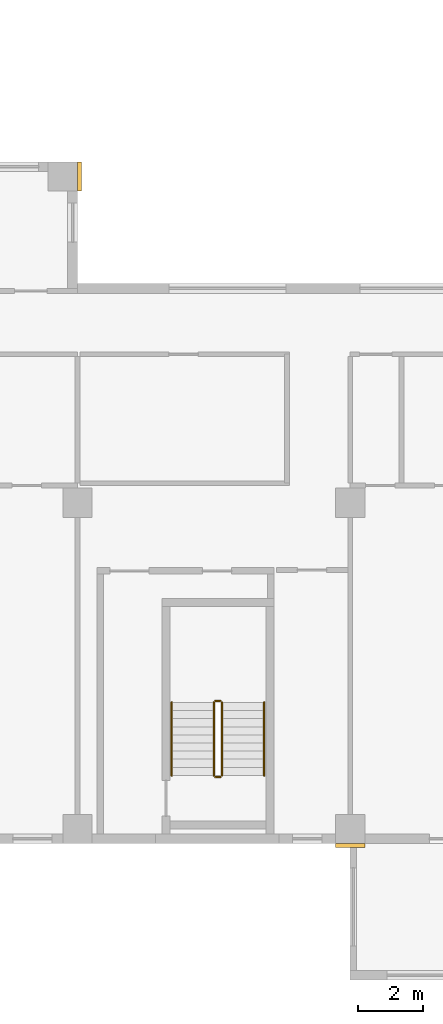
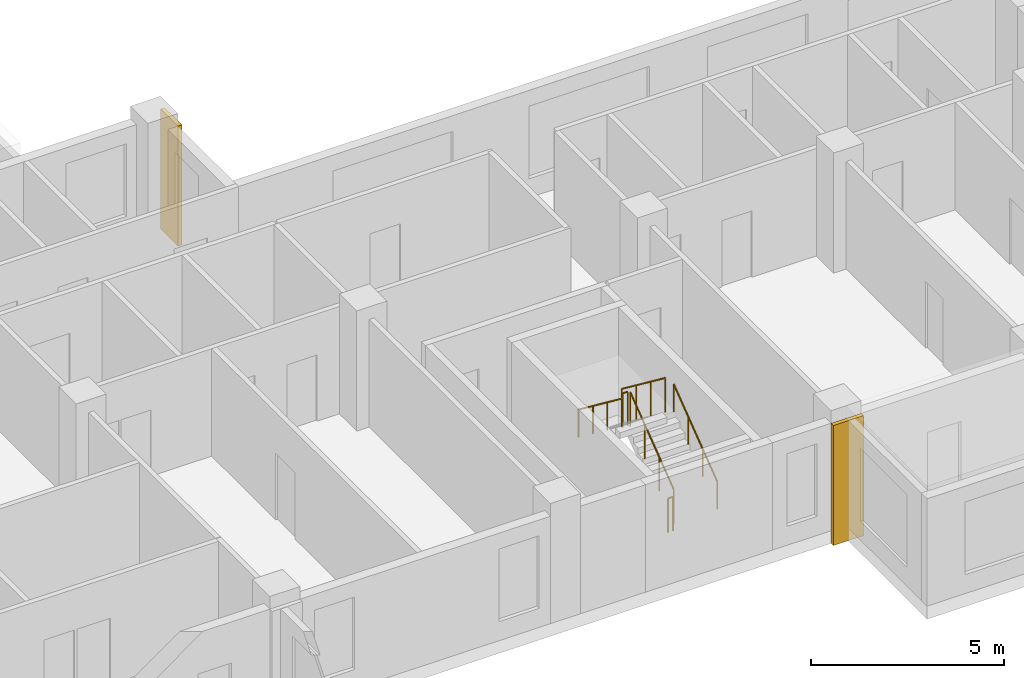
# One storey, part 11 of 12: 6 railings, 2 coverings.
"""IFC4 building model written with IfcOpenShell, lengths in metres."""

from ifc_helpers import new_model, si_unit, direction, frame, origin, origin_2d, place, context, subcontext, project, spatial, rectangle, circle, extrude, source, transform, mapped, material, type_object, element, save


model = new_model("IFC4")

# Units and contexts
model_context = context("Model", 3, precision=1e-05, world=origin(), true_north=direction((0.0, 1.0)))
body_context = subcontext(model_context, "Body", "Model", "MODEL_VIEW")
ifc_project = project(units=[si_unit("LENGTHUNIT", "METRE"), si_unit("AREAUNIT", "SQUARE_METRE"), si_unit("VOLUMEUNIT", "CUBIC_METRE"), si_unit("PLANEANGLEUNIT", "RADIAN"), si_unit("MASSUNIT", "GRAM", prefix="KILO")], contexts=[model_context])

# Site, building, storey
site_placement = place(None, origin())
site = spatial("IfcSite", under=ifc_project, at=site_placement, CompositionType="ELEMENT")
building_placement = place(site_placement, origin())
building = spatial("IfcBuilding", under=site, at=building_placement, Name="Aurelian Terraces", CompositionType="ELEMENT")
storey_placement = place(building_placement, frame((0.0, 0.0, 181.6)))
storey = spatial("IfcBuildingStorey", under=building, at=storey_placement, Name="L39", CompositionType="ELEMENT", Elevation=181.6)

# Coverings
ifc_material_1 = material(Name="Terracotta rainscreen cladding relief", Category="masonry")
covering_type = type_object("IfcCoveringType", Name="BAGUETTE-TC", PredefinedType="CLADDING", material=ifc_material_1)
shared_shape_1 = source(origin(), body_context, "Body", "SweptSolid", [
    extrude(rectangle(XDim=0.9, YDim=0.12, at=origin_2d()), origin(), (0.0, 0.0, 1.0), 3.8),
])
covering_1_placement = place(storey_placement, frame((46.2, -0.06, -0.4), z_axis=(0.0, 0.0, 1.0), x_axis=(1.0, 0.0, 0.0)))
element("IfcCovering", 1, at=covering_1_placement, inside=storey, type_object=covering_type, Name="BAGUETTE pier L39 3", PredefinedType="CLADDING", context=body_context, shape_type="MappedRepresentation", body=[
    mapped(shared_shape_1, transform((0.0, 0.0, 0.0), scale=1.0)),
])
shared_shape_2 = source(origin(), body_context, "Body", "SweptSolid", [
    extrude(rectangle(XDim=0.12, YDim=0.9, at=origin_2d()), origin(), (0.0, 0.0, 1.0), 3.8),
])
covering_2_placement = place(storey_placement, frame((37.86, 20.55, -0.4), z_axis=(0.0, 0.0, 1.0), x_axis=(1.0, 0.0, 0.0)))
element("IfcCovering", 2, at=covering_2_placement, inside=storey, type_object=covering_type, Name="BAGUETTE pier L39 6", PredefinedType="CLADDING", context=body_context, shape_type="MappedRepresentation", body=[
    mapped(shared_shape_2, transform((0.0, 0.0, 0.0), scale=1.0)),
])

# Railings
ifc_material_2 = material(Name="Stainless steel", Category="steel")
railing_type_1 = type_object("IfcRailingType", Name="Stair guard 1100", PredefinedType="GUARDRAIL", material=ifc_material_2)
shared_shape_3 = source(origin(), body_context, "Body", "SweptSolid", [
    extrude(circle(Radius=0.024, at=origin_2d()), frame((0.0, 0.0, 1.076), z_axis=(-1.0, 0.0, 0.0), x_axis=(0.0, -1.0, 0.0)), (0.0, 0.0, 1.0), 0.15),
    extrude(circle(Radius=0.021, at=origin_2d()), origin(), (0.0, 0.0, 1.0), 1.052),
    extrude(circle(Radius=0.021, at=origin_2d()), frame((-0.15, 0.0, 0.0)), (0.0, 0.0, 1.0), 1.052),
])
for number, where, name in (
    (3, (42.2, 4.4, 1.9), "L39 S2 stair guard 2"),
    (4, (42.2, 2.05, 0.0), "L39 S2 stair guard 4"),
):
    element("IfcRailing", number, at=place(storey_placement, frame(where)), inside=storey, type_object=railing_type_1, Name=name, PredefinedType="GUARDRAIL", context=body_context, shape_type="MappedRepresentation", body=[
        mapped(shared_shape_3, transform((0.0, 0.0, 0.0), scale=1.0)),
    ])
shared_shape_4 = source(origin(), body_context, "Body", "SweptSolid", [
    extrude(circle(Radius=0.024, at=origin_2d()), frame((0.0, 0.0, 1.076), z_axis=(0.0, 0.796162194123, 0.605083267534), x_axis=(-1.0, 0.0, 0.0)), (0.0, 0.0, 1.0), 2.8261),
    extrude(circle(Radius=0.021, at=origin_2d()), origin(), (0.0, 0.0, 1.0), 1.052),
    extrude(circle(Radius=0.021, at=origin_2d()), frame((0.0, 0.75, 0.57)), (0.0, 0.0, 1.0), 1.052),
    extrude(circle(Radius=0.021, at=origin_2d()), frame((0.0, 1.5, 1.14)), (0.0, 0.0, 1.0), 1.052),
    extrude(circle(Radius=0.021, at=origin_2d()), frame((0.0, 2.25, 1.71)), (0.0, 0.0, 1.0), 1.052),
])
railing_1_placement = place(storey_placement, frame((42.25, 2.1, 0.19)))
element("IfcRailing", 5, at=railing_1_placement, inside=storey, type_object=railing_type_1, Name="L39 S2 stair guard 1", PredefinedType="GUARDRAIL", context=body_context, shape_type="MappedRepresentation", body=[
    mapped(shared_shape_4, transform((0.0, 0.0, 0.0), scale=1.0)),
])
shared_shape_5 = source(origin(), body_context, "Body", "SweptSolid", [
    extrude(circle(Radius=0.024, at=origin_2d()), frame((0.0, 0.0, 1.076), z_axis=(0.0, -0.796162194123, 0.605083267534), x_axis=(1.0, 0.0, 0.0)), (0.0, 0.0, 1.0), 2.8261),
    extrude(circle(Radius=0.021, at=origin_2d()), origin(), (0.0, 0.0, 1.0), 1.052),
    extrude(circle(Radius=0.021, at=origin_2d()), frame((0.0, -0.75, 0.57)), (0.0, 0.0, 1.0), 1.052),
    extrude(circle(Radius=0.021, at=origin_2d()), frame((0.0, -1.5, 1.14)), (0.0, 0.0, 1.0), 1.052),
    extrude(circle(Radius=0.021, at=origin_2d()), frame((0.0, -2.25, 1.71)), (0.0, 0.0, 1.0), 1.052),
])
railing_2_placement = place(storey_placement, frame((42.0, 4.35, 2.09)))
element("IfcRailing", 6, at=railing_2_placement, inside=storey, type_object=railing_type_1, Name="L39 S2 stair guard 3", PredefinedType="GUARDRAIL", context=body_context, shape_type="MappedRepresentation", body=[
    mapped(shared_shape_5, transform((0.0, 0.0, 0.0), scale=1.0)),
])
railing_type_2 = type_object("IfcRailingType", Name="Stair handrail", PredefinedType="HANDRAIL", material=ifc_material_2)
shared_shape_6 = source(origin(), body_context, "Body", "SweptSolid", [
    extrude(circle(Radius=0.024, at=origin_2d()), frame((0.0, 0.0, 0.876), z_axis=(0.0, 0.796162194123, 0.605083267534), x_axis=(-1.0, 0.0, 0.0)), (0.0, 0.0, 1.0), 2.8261),
    extrude(circle(Radius=0.021, at=origin_2d()), origin(), (0.0, 0.0, 1.0), 0.852),
    extrude(circle(Radius=0.021, at=origin_2d()), frame((0.0, 0.75, 0.57)), (0.0, 0.0, 1.0), 0.852),
    extrude(circle(Radius=0.021, at=origin_2d()), frame((0.0, 1.5, 1.14)), (0.0, 0.0, 1.0), 0.852),
    extrude(circle(Radius=0.021, at=origin_2d()), frame((0.0, 2.25, 1.71)), (0.0, 0.0, 1.0), 0.852),
])
railing_3_placement = place(storey_placement, frame((43.55, 2.1, 0.19)))
element("IfcRailing", 7, at=railing_3_placement, inside=storey, type_object=railing_type_2, Name="L39 S2 stair handrail 1", PredefinedType="HANDRAIL", context=body_context, shape_type="MappedRepresentation", body=[
    mapped(shared_shape_6, transform((0.0, 0.0, 0.0), scale=1.0)),
])
shared_shape_7 = source(origin(), body_context, "Body", "SweptSolid", [
    extrude(circle(Radius=0.024, at=origin_2d()), frame((0.0, 0.0, 0.876), z_axis=(0.0, -0.796162194123, 0.605083267534), x_axis=(1.0, 0.0, 0.0)), (0.0, 0.0, 1.0), 2.8261),
    extrude(circle(Radius=0.021, at=origin_2d()), origin(), (0.0, 0.0, 1.0), 0.852),
    extrude(circle(Radius=0.021, at=origin_2d()), frame((0.0, -0.75, 0.57)), (0.0, 0.0, 1.0), 0.852),
    extrude(circle(Radius=0.021, at=origin_2d()), frame((0.0, -1.5, 1.14)), (0.0, 0.0, 1.0), 0.852),
    extrude(circle(Radius=0.021, at=origin_2d()), frame((0.0, -2.25, 1.71)), (0.0, 0.0, 1.0), 0.852),
])
railing_4_placement = place(storey_placement, frame((40.7, 4.35, 2.09)))
element("IfcRailing", 8, at=railing_4_placement, inside=storey, type_object=railing_type_2, Name="L39 S2 stair handrail 2", PredefinedType="HANDRAIL", context=body_context, shape_type="MappedRepresentation", body=[
    mapped(shared_shape_7, transform((0.0, 0.0, 0.0), scale=1.0)),
])

save(model, "model.ifc")
